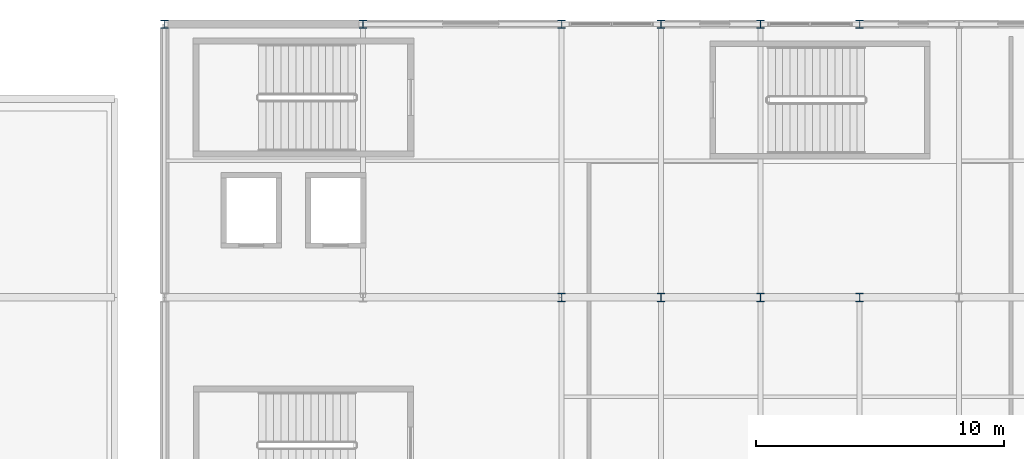
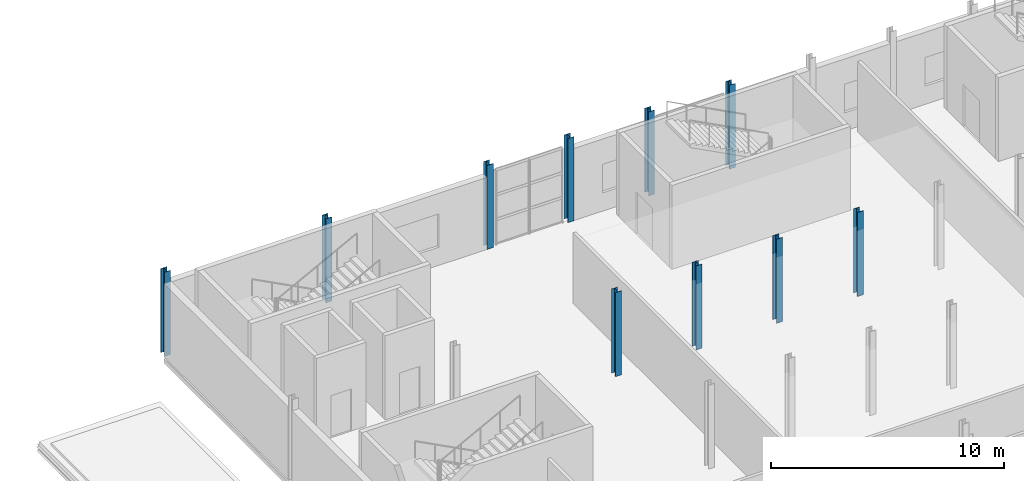
# One storey, part 12 of 153: 10 columns.
"""IFC4 building model written with IfcOpenShell, lengths in metres."""

from ifc_helpers import new_model, si_unit, derived_unit, direction, frame, origin, origin_2d, place, context, subcontext, project, spatial, i_section, extrude, material, material_profile, profile_set, type_object, element, save


model = new_model("IFC4")

# Units and contexts
model_context = context("Model", 3, precision=1e-05, world=origin(), true_north=direction((0.0, 1.0)))
body_context = subcontext(model_context, "Body", "Model", "MODEL_VIEW")
ifc_project = project(units=[si_unit("LENGTHUNIT", "METRE"), si_unit("AREAUNIT", "SQUARE_METRE"), si_unit("VOLUMEUNIT", "CUBIC_METRE"), si_unit("PLANEANGLEUNIT", "RADIAN"), si_unit("MASSUNIT", "GRAM", prefix="KILO"), derived_unit("THERMALTRANSMITTANCEUNIT", [(si_unit("POWERUNIT", "WATT"), 1), (si_unit("LENGTHUNIT", "METRE"), -2), (si_unit("THERMODYNAMICTEMPERATUREUNIT", "KELVIN"), -1)])], contexts=[model_context])

# Site, building, storey
site_placement = place(None, origin())
site = spatial("IfcSite", under=ifc_project, at=site_placement, CompositionType="ELEMENT")
building_placement = place(site_placement, origin())
building = spatial("IfcBuilding", under=site, at=building_placement, Name="Keldorne Ridge Multi-Sports Centre", CompositionType="ELEMENT")
storey_placement = place(building_placement, frame((0.0, 0.0, 9.60009765625)))
storey = spatial("IfcBuildingStorey", under=building, at=storey_placement, Name="L02", CompositionType="ELEMENT", Elevation=9.60009765625)

# Columns
ifc_material = material(Name="Steel S355", Category="steel")
ifc_material_profile = material_profile(ifc_material, i_section(OverallWidth=0.300048828125, OverallDepth=0.340087890625, WebThickness=0.011962890625, FlangeThickness=0.021484375, FilletRadius=0.027099609375, at=origin_2d()), Name="HEB 340")
ifc_profile_set = profile_set([ifc_material_profile], Name="Steel S355")
column_type = type_object("IfcColumnType", Name="COL-C-11", PredefinedType="COLUMN", material=ifc_profile_set)
for number, where, z_axis, x_axis, name in (
    (1, (104.0, 117.0, 0.0), (0.0, 0.0, 1.0), (1.0, 0.0, 0.0), "Structural column V5-C-01-07 on L02"),
    (2, (112.0, 117.0, 0.0), (0.0, 0.0, 1.0), (1.0, 0.0, 0.0), "Structural column V5-C-02-07 on L02"),
    (3, (120.0, 106.0, 0.0), (0.0, 0.0, 1.0), (1.0, 0.0, 0.0), "Structural column V5-C-03-06 on L02"),
    (4, (120.0, 117.0, 0.0), (0.0, 0.0, 1.0), (1.0, 0.0, 0.0), "Structural column V5-C-03-07 on L02"),
    (5, (124.0, 106.0, 0.0), (0.0, 0.0, 1.0), (1.0, 0.0, 0.0), "Structural column V5-C-04-06 on L02"),
    (6, (124.0, 117.0, 0.0), (0.0, 0.0, 1.0), (1.0, 0.0, 0.0), "Structural column V5-C-04-07 on L02"),
    (7, (128.0, 106.0, 0.0), (0.0, 0.0, 1.0), (1.0, 0.0, 0.0), "Structural column V5-C-05-06 on L02"),
    (8, (128.0, 117.0, 0.0), (0.0, 0.0, 1.0), (1.0, 0.0, 0.0), "Structural column V5-C-05-07 on L02"),
    (9, (132.0, 106.0, 0.0), (0.0, 0.0, 1.0), (1.0, 0.0, 0.0), "Structural column V5-C-06-06 on L02"),
    (10, (132.0, 117.0, 0.0), (0.0, 0.0, 1.0), (1.0, 0.0, 0.0), "Structural column V5-C-06-07 on L02"),
):
    element("IfcColumn", number, at=place(storey_placement, frame(where, z_axis=z_axis, x_axis=x_axis)), inside=storey, type_object=column_type, Name=name, PredefinedType="COLUMN", context=body_context, shape_type="SweptSolid", body=[
        extrude(i_section(OverallWidth=0.300048828125, OverallDepth=0.340087890625, WebThickness=0.011962890625, FlangeThickness=0.021484375, FilletRadius=0.027099609375, at=origin_2d()), origin(), (0.0, 0.0, 1.0), 4.39990234375),
    ])

save(model, "model.ifc")
